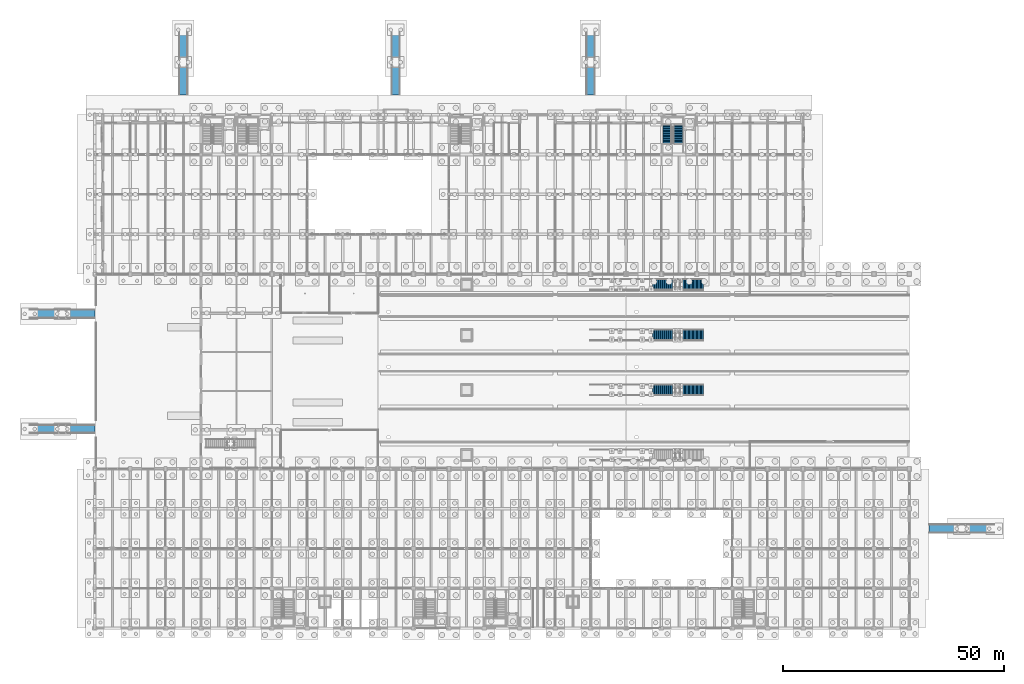
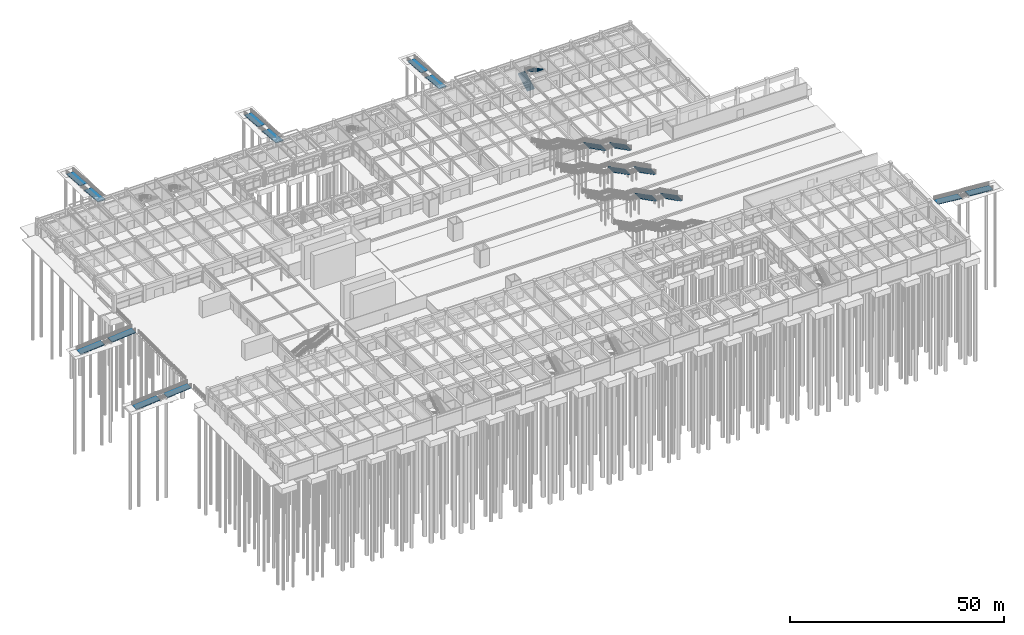
# One storey, part 114 of 147: 12 ramp flights, 8 stair flights, 10 elements without a shape of their own.
"""IFC4 building model written with IfcOpenShell, lengths in metres."""

from ifc_helpers import new_model, si_unit, direction, frame, origin, place, context, subcontext, project, spatial, polyline, outline, extrude, material, layer, layer_set, type_object, element, aggregate, save


model = new_model("IFC4")

# Units and contexts
model_context = context("Model", 3, precision=1e-05, world=origin(), true_north=direction((0.0, 1.0)))
body_context = subcontext(model_context, "Body", "Model", "MODEL_VIEW")
ifc_project = project(units=[si_unit("LENGTHUNIT", "METRE"), si_unit("AREAUNIT", "SQUARE_METRE"), si_unit("VOLUMEUNIT", "CUBIC_METRE"), si_unit("PLANEANGLEUNIT", "RADIAN"), si_unit("MASSUNIT", "GRAM", prefix="KILO")], contexts=[model_context])

# Site, building, storey
site_placement = place(None, origin())
site = spatial("IfcSite", under=ifc_project, at=site_placement, CompositionType="ELEMENT")
building_placement = place(site_placement, origin())
building = spatial("IfcBuilding", under=site, at=building_placement, Name="Varnabhumi Central Station", CompositionType="ELEMENT")
storey_placement = place(building_placement, origin())
storey = spatial("IfcBuildingStorey", under=building, at=storey_placement, Name="L00", CompositionType="ELEMENT", Elevation=0.0)

# Stair, stair flights
ifc_material = material(Name="Concrete M40", Category="concrete")
stair_type_1 = type_object("IfcStairType", Name="STR-CORE-4800", PredefinedType="DOUBLE_RETURN_STAIR", material=ifc_material)
stair_1_placement = place(storey_placement, origin())
stair_1 = element("IfcStair", 1, at=stair_1_placement, inside=storey, type_object=stair_type_1, Name="Core Stair ST-N3 (L00)", PredefinedType="DOUBLE_RETURN_STAIR")
stair_flight_type_1 = type_object("IfcStairFlightType", Name="FLT-CORE-1500", PredefinedType="STRAIGHT", material=ifc_material)
stair_flight_1_placement = place(storey_placement, frame((129.35009765625, 109.340087890625, 0.0), z_axis=(0.0, 0.0, 1.0), x_axis=(0.0, 1.0, 0.0)))
stair_flight_1 = element("IfcStairFlight", 2, at=stair_flight_1_placement, type_object=stair_flight_type_1, Name="ST-N3 L00 Lower Flight", NumberOfRisers=16, NumberOfTreads=15, PredefinedType="STRAIGHT", RiserHeight=0.15, TreadLength=0.285, context=body_context, shape_type="SweptSolid", body=[
    extrude(outline(polyline([(-0.06005859375, -0.080078125), (-0.06005859375, 0.0), (0.0, 0.0), (0.0, 0.14990234375), (0.284912109375, 0.14990234375), (0.284912109375, 0.300048828125), (0.570068359375, 0.300048828125), (0.570068359375, 0.449951171875), (0.85498046875, 0.449951171875), (0.85498046875, 0.60009765625), (1.139892578125, 0.60009765625), (1.139892578125, 0.75), (1.425048828125, 0.75), (1.425048828125, 0.89990234375), (1.7099609375, 0.89990234375), (1.7099609375, 1.050048828125), (1.9951171875, 1.050048828125), (1.9951171875, 1.199951171875), (2.280029296875, 1.199951171875), (2.280029296875, 1.35009765625), (2.56494140625, 1.35009765625), (2.56494140625, 1.5), (2.85009765625, 1.5), (2.85009765625, 1.64990234375), (3.135009765625, 1.64990234375), (3.135009765625, 1.800048828125), (3.419921875, 1.800048828125), (3.419921875, 1.949951171875), (3.705078125, 1.949951171875), (3.705078125, 2.10009765625), (3.989990234375, 2.10009765625), (3.989990234375, 2.25), (4.27490234375, 2.25), (4.27490234375, 2.39990234375), (4.3349609375, 2.39990234375), (4.3349609375, 2.239990234375), (4.27490234375, 2.0693359375), (0.34326171875, -0.080078125), (-0.06005859375, -0.080078125)])), frame((0.0, 1.0, 0.0), z_axis=(0.0, -1.0, 0.0), x_axis=(1.0, 0.0, 0.0)), (0.0, 0.0, 1.0), 2.0),
])
stair_flight_2_placement = place(storey_placement, frame((131.75, 113.614990234375, 2.39990234375), z_axis=(0.0, 0.0, 1.0), x_axis=(0.0, -1.0, 0.0)))
stair_flight_2 = element("IfcStairFlight", 3, at=stair_flight_2_placement, type_object=stair_flight_type_1, Name="ST-N3 L00 Upper Flight", NumberOfRisers=16, NumberOfTreads=15, PredefinedType="STRAIGHT", RiserHeight=0.15, TreadLength=0.285, context=body_context, shape_type="SweptSolid", body=[
    extrude(outline(polyline([(-0.06005859375, -0.080078125), (-0.06005859375, 0.0), (0.0, 0.0), (0.0, 0.14990234375), (0.284912109375, 0.14990234375), (0.284912109375, 0.300048828125), (0.570068359375, 0.300048828125), (0.570068359375, 0.449951171875), (0.85498046875, 0.449951171875), (0.85498046875, 0.60009765625), (1.139892578125, 0.60009765625), (1.139892578125, 0.75), (1.425048828125, 0.75), (1.425048828125, 0.89990234375), (1.7099609375, 0.89990234375), (1.7099609375, 1.050048828125), (1.9951171875, 1.050048828125), (1.9951171875, 1.199951171875), (2.280029296875, 1.199951171875), (2.280029296875, 1.35009765625), (2.56494140625, 1.35009765625), (2.56494140625, 1.5), (2.85009765625, 1.5), (2.85009765625, 1.64990234375), (3.135009765625, 1.64990234375), (3.135009765625, 1.800048828125), (3.419921875, 1.800048828125), (3.419921875, 1.949951171875), (3.705078125, 1.949951171875), (3.705078125, 2.10009765625), (3.989990234375, 2.10009765625), (3.989990234375, 2.25), (4.27490234375, 2.25), (4.27490234375, 2.39990234375), (4.3349609375, 2.39990234375), (4.3349609375, 2.239990234375), (4.27490234375, 2.0693359375), (0.34326171875, -0.080078125), (-0.06005859375, -0.080078125)])), frame((0.0, 1.0, 0.0), z_axis=(0.0, -1.0, 0.0), x_axis=(1.0, 0.0, 0.0)), (0.0, 0.0, 1.0), 2.0),
])
aggregate(stair_1, [stair_flight_1, stair_flight_2])

stair_type_2 = type_object("IfcStairType", Name="STR-PLAT-4800", PredefinedType="TWO_STRAIGHT_RUN_STAIR", material=ifc_material)
stair_2_placement = place(storey_placement, origin())
stair_2 = element("IfcStair", 4, at=stair_2_placement, inside=storey, type_object=stair_type_2, Name="Platform 2 Lower Stair (L00-L01)", PredefinedType="TWO_STRAIGHT_RUN_STAIR")
stair_flight_type_2 = type_object("IfcStairFlightType", Name="FLT-PLAT-2200", PredefinedType="STRAIGHT", material=ifc_material)
stair_flight_3_placement = place(storey_placement, frame((137.39990234375, 53.800048828125, 0.0), z_axis=(0.0, 0.0, 1.0), x_axis=(-1.0, 0.0, 0.0)))
stair_flight_3 = element("IfcStairFlight", 5, at=stair_flight_3_placement, type_object=stair_flight_type_2, Name="Platform 2 Lower Stair Flight 1", NumberOfRisers=16, NumberOfTreads=15, PredefinedType="STRAIGHT", RiserHeight=0.15, TreadLength=0.3, context=body_context, shape_type="SweptSolid", body=[
    extrude(outline(polyline([(-0.06005859375, -0.08984375), (-0.06005859375, 0.0), (0.0, 0.0), (0.0, 0.14990234375), (0.300048828125, 0.14990234375), (0.300048828125, 0.300048828125), (0.60009765625, 0.300048828125), (0.60009765625, 0.449951171875), (0.89990234375, 0.449951171875), (0.89990234375, 0.60009765625), (1.199951171875, 0.60009765625), (1.199951171875, 0.75), (1.5, 0.75), (1.5, 0.89990234375), (1.800048828125, 0.89990234375), (1.800048828125, 1.050048828125), (2.10009765625, 1.050048828125), (2.10009765625, 1.199951171875), (2.39990234375, 1.199951171875), (2.39990234375, 1.35009765625), (2.699951171875, 1.35009765625), (2.699951171875, 1.5), (3.0, 1.5), (3.0, 1.64990234375), (3.300048828125, 1.64990234375), (3.300048828125, 1.800048828125), (3.60009765625, 1.800048828125), (3.60009765625, 1.949951171875), (3.89990234375, 1.949951171875), (3.89990234375, 2.10009765625), (4.199951171875, 2.10009765625), (4.199951171875, 2.25), (4.5, 2.25), (4.5, 2.39990234375), (4.56005859375, 2.39990234375), (4.56005859375, 2.219970703125), (4.5, 2.048828125), (0.40234375, -0.08984375), (-0.06005859375, -0.08984375)])), frame((0.0, 1.199951171875, 0.0), z_axis=(0.0, -1.0, 0.0), x_axis=(1.0, 0.0, 0.0)), (0.0, 0.0, 1.0), 2.39990234375),
])
stair_flight_4_placement = place(storey_placement, frame((130.5, 53.800048828125, 2.39990234375), z_axis=(0.0, 0.0, 1.0), x_axis=(-1.0, 0.0, 0.0)))
stair_flight_4 = element("IfcStairFlight", 6, at=stair_flight_4_placement, type_object=stair_flight_type_2, Name="Platform 2 Lower Stair Flight 2", NumberOfRisers=16, NumberOfTreads=15, PredefinedType="STRAIGHT", RiserHeight=0.15, TreadLength=0.3, context=body_context, shape_type="SweptSolid", body=[
    extrude(outline(polyline([(-0.06005859375, -0.08984375), (-0.06005859375, 0.0), (0.0, 0.0), (0.0, 0.14990234375), (0.300048828125, 0.14990234375), (0.300048828125, 0.300048828125), (0.60009765625, 0.300048828125), (0.60009765625, 0.449951171875), (0.89990234375, 0.449951171875), (0.89990234375, 0.60009765625), (1.199951171875, 0.60009765625), (1.199951171875, 0.75), (1.5, 0.75), (1.5, 0.89990234375), (1.800048828125, 0.89990234375), (1.800048828125, 1.050048828125), (2.10009765625, 1.050048828125), (2.10009765625, 1.199951171875), (2.39990234375, 1.199951171875), (2.39990234375, 1.35009765625), (2.699951171875, 1.35009765625), (2.699951171875, 1.5), (3.0, 1.5), (3.0, 1.64990234375), (3.300048828125, 1.64990234375), (3.300048828125, 1.800048828125), (3.60009765625, 1.800048828125), (3.60009765625, 1.949951171875), (3.89990234375, 1.949951171875), (3.89990234375, 2.10009765625), (4.199951171875, 2.10009765625), (4.199951171875, 2.25), (4.5, 2.25), (4.5, 2.39990234375), (4.56005859375, 2.39990234375), (4.56005859375, 2.219970703125), (4.5, 2.048828125), (0.40234375, -0.08984375), (-0.06005859375, -0.08984375)])), frame((0.0, 1.199951171875, 0.0), z_axis=(0.0, -1.0, 0.0), x_axis=(1.0, 0.0, 0.0)), (0.0, 0.0, 1.0), 2.39990234375),
])
aggregate(stair_2, [stair_flight_3, stair_flight_4])

stair_3_placement = place(storey_placement, origin())
stair_3 = element("IfcStair", 7, at=stair_3_placement, inside=storey, type_object=stair_type_2, Name="Platform 3 Lower Stair (L00-L01)", PredefinedType="TWO_STRAIGHT_RUN_STAIR")
stair_flight_5_placement = place(storey_placement, frame((137.39990234375, 66.199951171875, 0.0), z_axis=(0.0, 0.0, 1.0), x_axis=(-1.0, 0.0, 0.0)))
stair_flight_5 = element("IfcStairFlight", 8, at=stair_flight_5_placement, type_object=stair_flight_type_2, Name="Platform 3 Lower Stair Flight 1", NumberOfRisers=16, NumberOfTreads=15, PredefinedType="STRAIGHT", RiserHeight=0.15, TreadLength=0.3, context=body_context, shape_type="SweptSolid", body=[
    extrude(outline(polyline([(-0.06005859375, -0.08984375), (-0.06005859375, 0.0), (0.0, 0.0), (0.0, 0.14990234375), (0.300048828125, 0.14990234375), (0.300048828125, 0.300048828125), (0.60009765625, 0.300048828125), (0.60009765625, 0.449951171875), (0.89990234375, 0.449951171875), (0.89990234375, 0.60009765625), (1.199951171875, 0.60009765625), (1.199951171875, 0.75), (1.5, 0.75), (1.5, 0.89990234375), (1.800048828125, 0.89990234375), (1.800048828125, 1.050048828125), (2.10009765625, 1.050048828125), (2.10009765625, 1.199951171875), (2.39990234375, 1.199951171875), (2.39990234375, 1.35009765625), (2.699951171875, 1.35009765625), (2.699951171875, 1.5), (3.0, 1.5), (3.0, 1.64990234375), (3.300048828125, 1.64990234375), (3.300048828125, 1.800048828125), (3.60009765625, 1.800048828125), (3.60009765625, 1.949951171875), (3.89990234375, 1.949951171875), (3.89990234375, 2.10009765625), (4.199951171875, 2.10009765625), (4.199951171875, 2.25), (4.5, 2.25), (4.5, 2.39990234375), (4.56005859375, 2.39990234375), (4.56005859375, 2.219970703125), (4.5, 2.048828125), (0.40234375, -0.08984375), (-0.06005859375, -0.08984375)])), frame((0.0, 1.199951171875, 0.0), z_axis=(0.0, -1.0, 0.0), x_axis=(1.0, 0.0, 0.0)), (0.0, 0.0, 1.0), 2.39990234375),
])
stair_flight_6_placement = place(storey_placement, frame((130.5, 66.199951171875, 2.39990234375), z_axis=(0.0, 0.0, 1.0), x_axis=(-1.0, 0.0, 0.0)))
stair_flight_6 = element("IfcStairFlight", 9, at=stair_flight_6_placement, type_object=stair_flight_type_2, Name="Platform 3 Lower Stair Flight 2", NumberOfRisers=16, NumberOfTreads=15, PredefinedType="STRAIGHT", RiserHeight=0.15, TreadLength=0.3, context=body_context, shape_type="SweptSolid", body=[
    extrude(outline(polyline([(-0.06005859375, -0.08984375), (-0.06005859375, 0.0), (0.0, 0.0), (0.0, 0.14990234375), (0.300048828125, 0.14990234375), (0.300048828125, 0.300048828125), (0.60009765625, 0.300048828125), (0.60009765625, 0.449951171875), (0.89990234375, 0.449951171875), (0.89990234375, 0.60009765625), (1.199951171875, 0.60009765625), (1.199951171875, 0.75), (1.5, 0.75), (1.5, 0.89990234375), (1.800048828125, 0.89990234375), (1.800048828125, 1.050048828125), (2.10009765625, 1.050048828125), (2.10009765625, 1.199951171875), (2.39990234375, 1.199951171875), (2.39990234375, 1.35009765625), (2.699951171875, 1.35009765625), (2.699951171875, 1.5), (3.0, 1.5), (3.0, 1.64990234375), (3.300048828125, 1.64990234375), (3.300048828125, 1.800048828125), (3.60009765625, 1.800048828125), (3.60009765625, 1.949951171875), (3.89990234375, 1.949951171875), (3.89990234375, 2.10009765625), (4.199951171875, 2.10009765625), (4.199951171875, 2.25), (4.5, 2.25), (4.5, 2.39990234375), (4.56005859375, 2.39990234375), (4.56005859375, 2.219970703125), (4.5, 2.048828125), (0.40234375, -0.08984375), (-0.06005859375, -0.08984375)])), frame((0.0, 1.199951171875, 0.0), z_axis=(0.0, -1.0, 0.0), x_axis=(1.0, 0.0, 0.0)), (0.0, 0.0, 1.0), 2.39990234375),
])
aggregate(stair_3, [stair_flight_5, stair_flight_6])

stair_4_placement = place(storey_placement, origin())
stair_4 = element("IfcStair", 10, at=stair_4_placement, inside=storey, type_object=stair_type_2, Name="Platform 4 Lower Stair (L00-L01)", PredefinedType="TWO_STRAIGHT_RUN_STAIR")
stair_flight_7_placement = place(storey_placement, frame((137.39990234375, 77.60009765625, 0.0), z_axis=(0.0, 0.0, 1.0), x_axis=(-1.0, 0.0, 0.0)))
stair_flight_7 = element("IfcStairFlight", 11, at=stair_flight_7_placement, type_object=stair_flight_type_2, Name="Platform 4 Lower Stair Flight 1", NumberOfRisers=16, NumberOfTreads=15, PredefinedType="STRAIGHT", RiserHeight=0.15, TreadLength=0.3, context=body_context, shape_type="SweptSolid", body=[
    extrude(outline(polyline([(-0.06005859375, -0.08984375), (-0.06005859375, 0.0), (0.0, 0.0), (0.0, 0.14990234375), (0.300048828125, 0.14990234375), (0.300048828125, 0.300048828125), (0.60009765625, 0.300048828125), (0.60009765625, 0.449951171875), (0.89990234375, 0.449951171875), (0.89990234375, 0.60009765625), (1.199951171875, 0.60009765625), (1.199951171875, 0.75), (1.5, 0.75), (1.5, 0.89990234375), (1.800048828125, 0.89990234375), (1.800048828125, 1.050048828125), (2.10009765625, 1.050048828125), (2.10009765625, 1.199951171875), (2.39990234375, 1.199951171875), (2.39990234375, 1.35009765625), (2.699951171875, 1.35009765625), (2.699951171875, 1.5), (3.0, 1.5), (3.0, 1.64990234375), (3.300048828125, 1.64990234375), (3.300048828125, 1.800048828125), (3.60009765625, 1.800048828125), (3.60009765625, 1.949951171875), (3.89990234375, 1.949951171875), (3.89990234375, 2.10009765625), (4.199951171875, 2.10009765625), (4.199951171875, 2.25), (4.5, 2.25), (4.5, 2.39990234375), (4.56005859375, 2.39990234375), (4.56005859375, 2.219970703125), (4.5, 2.048828125), (0.40234375, -0.08984375), (-0.06005859375, -0.08984375)])), frame((0.0, 1.199951171875, 0.0), z_axis=(0.0, -1.0, 0.0), x_axis=(1.0, 0.0, 0.0)), (0.0, 0.0, 1.0), 2.39990234375),
])
stair_flight_8_placement = place(storey_placement, frame((130.5, 77.60009765625, 2.39990234375), z_axis=(0.0, 0.0, 1.0), x_axis=(-1.0, 0.0, 0.0)))
stair_flight_8 = element("IfcStairFlight", 12, at=stair_flight_8_placement, type_object=stair_flight_type_2, Name="Platform 4 Lower Stair Flight 2", NumberOfRisers=16, NumberOfTreads=15, PredefinedType="STRAIGHT", RiserHeight=0.15, TreadLength=0.3, context=body_context, shape_type="SweptSolid", body=[
    extrude(outline(polyline([(-0.06005859375, -0.08984375), (-0.06005859375, 0.0), (0.0, 0.0), (0.0, 0.14990234375), (0.300048828125, 0.14990234375), (0.300048828125, 0.300048828125), (0.60009765625, 0.300048828125), (0.60009765625, 0.449951171875), (0.89990234375, 0.449951171875), (0.89990234375, 0.60009765625), (1.199951171875, 0.60009765625), (1.199951171875, 0.75), (1.5, 0.75), (1.5, 0.89990234375), (1.800048828125, 0.89990234375), (1.800048828125, 1.050048828125), (2.10009765625, 1.050048828125), (2.10009765625, 1.199951171875), (2.39990234375, 1.199951171875), (2.39990234375, 1.35009765625), (2.699951171875, 1.35009765625), (2.699951171875, 1.5), (3.0, 1.5), (3.0, 1.64990234375), (3.300048828125, 1.64990234375), (3.300048828125, 1.800048828125), (3.60009765625, 1.800048828125), (3.60009765625, 1.949951171875), (3.89990234375, 1.949951171875), (3.89990234375, 2.10009765625), (4.199951171875, 2.10009765625), (4.199951171875, 2.25), (4.5, 2.25), (4.5, 2.39990234375), (4.56005859375, 2.39990234375), (4.56005859375, 2.219970703125), (4.5, 2.048828125), (0.40234375, -0.08984375), (-0.06005859375, -0.08984375)])), frame((0.0, 1.199951171875, 0.0), z_axis=(0.0, -1.0, 0.0), x_axis=(1.0, 0.0, 0.0)), (0.0, 0.0, 1.0), 2.39990234375),
])
aggregate(stair_4, [stair_flight_7, stair_flight_8])

# Ramp, ramp flights
ramp_type = type_object("IfcRampType", Name="RAMP-PLINTH-1800", PredefinedType="TWO_STRAIGHT_RUN_RAMP", material=ifc_material)
ramp_1_placement = place(storey_placement, origin())
ramp_1 = element("IfcRamp", 13, at=ramp_1_placement, inside=storey, type_object=ramp_type, Name="Accessible Plinth Ramp RMP-FC-S", PredefinedType="TWO_STRAIGHT_RUN_RAMP")
ifc_layer = layer(ifc_material, 0.219970703125, Name="Concrete M40", Category="concrete")
ifc_layer_set = layer_set([ifc_layer], Name="Concrete M40")
ramp_flight_type = type_object("IfcRampFlightType", Name="RAMP-FLT-1800", PredefinedType="STRAIGHT", material=ifc_layer_set)
ramp_flight_1_placement = place(storey_placement, frame((-14.699951171875, 45.0, -1.050048828125), z_axis=(0.0, 0.0, 1.0), x_axis=(1.0, 0.0, 0.0)))
ramp_flight_1 = element("IfcRampFlight", 14, at=ramp_flight_1_placement, type_object=ramp_flight_type, Name="RMP-FC-S Lower Flight", PredefinedType="STRAIGHT", context=body_context, shape_type="SweptSolid", body=[
    extrude(outline(polyline([(-0.06005859375, 0.0), (0.0, 0.0), (6.300048828125, 0.52490234375), (6.360107421875, 0.52490234375), (6.360107421875, 0.304931640625), (6.300048828125, 0.304931640625), (0.0, -0.219970703125), (-0.06005859375, -0.219970703125), (-0.06005859375, 0.0)])), frame((0.0, 1.0, 0.0), z_axis=(0.0, -1.0, 0.0), x_axis=(1.0, 0.0, 0.0)), (0.0, 0.0, 1.0), 2.0),
])
ramp_flight_2_placement = place(storey_placement, frame((-6.300048828125, 45.0, -0.52490234375), z_axis=(0.0, 0.0, 1.0), x_axis=(1.0, 0.0, 0.0)))
ramp_flight_2 = element("IfcRampFlight", 15, at=ramp_flight_2_placement, type_object=ramp_flight_type, Name="RMP-FC-S Upper Flight", PredefinedType="STRAIGHT", context=body_context, shape_type="SweptSolid", body=[
    extrude(outline(polyline([(-0.06005859375, 0.0), (0.0, 0.0), (6.300048828125, 0.52490234375), (6.360107421875, 0.52490234375), (6.360107421875, 0.304931640625), (6.300048828125, 0.304931640625), (0.0, -0.219970703125), (-0.06005859375, -0.219970703125), (-0.06005859375, 0.0)])), frame((0.0, 1.0, 0.0), z_axis=(0.0, -1.0, 0.0), x_axis=(1.0, 0.0, 0.0)), (0.0, 0.0, 1.0), 2.0),
])
aggregate(ramp_1, [ramp_flight_1, ramp_flight_2])

ramp_2_placement = place(storey_placement, origin())
ramp_2 = element("IfcRamp", 16, at=ramp_2_placement, inside=storey, type_object=ramp_type, Name="Accessible Plinth Ramp RMP-FC-N", PredefinedType="TWO_STRAIGHT_RUN_RAMP")
ramp_flight_3_placement = place(storey_placement, frame((-14.699951171875, 71.0, -1.050048828125), z_axis=(0.0, 0.0, 1.0), x_axis=(1.0, 0.0, 0.0)))
ramp_flight_3 = element("IfcRampFlight", 17, at=ramp_flight_3_placement, type_object=ramp_flight_type, Name="RMP-FC-N Lower Flight", PredefinedType="STRAIGHT", context=body_context, shape_type="SweptSolid", body=[
    extrude(outline(polyline([(-0.06005859375, 0.0), (0.0, 0.0), (6.300048828125, 0.52490234375), (6.360107421875, 0.52490234375), (6.360107421875, 0.304931640625), (6.300048828125, 0.304931640625), (0.0, -0.219970703125), (-0.06005859375, -0.219970703125), (-0.06005859375, 0.0)])), frame((0.0, 1.0, 0.0), z_axis=(0.0, -1.0, 0.0), x_axis=(1.0, 0.0, 0.0)), (0.0, 0.0, 1.0), 2.0),
])
ramp_flight_4_placement = place(storey_placement, frame((-6.300048828125, 71.0, -0.52490234375), z_axis=(0.0, 0.0, 1.0), x_axis=(1.0, 0.0, 0.0)))
ramp_flight_4 = element("IfcRampFlight", 18, at=ramp_flight_4_placement, type_object=ramp_flight_type, Name="RMP-FC-N Upper Flight", PredefinedType="STRAIGHT", context=body_context, shape_type="SweptSolid", body=[
    extrude(outline(polyline([(-0.06005859375, 0.0), (0.0, 0.0), (6.300048828125, 0.52490234375), (6.360107421875, 0.52490234375), (6.360107421875, 0.304931640625), (6.300048828125, 0.304931640625), (0.0, -0.219970703125), (-0.06005859375, -0.219970703125), (-0.06005859375, 0.0)])), frame((0.0, 1.0, 0.0), z_axis=(0.0, -1.0, 0.0), x_axis=(1.0, 0.0, 0.0)), (0.0, 0.0, 1.0), 2.0),
])
aggregate(ramp_2, [ramp_flight_3, ramp_flight_4])

ramp_3_placement = place(storey_placement, origin())
ramp_3 = element("IfcRamp", 19, at=ramp_3_placement, inside=storey, type_object=ramp_type, Name="Accessible Plinth Ramp RMP-NB-E", PredefinedType="TWO_STRAIGHT_RUN_RAMP")
ramp_flight_5_placement = place(storey_placement, frame((20.0, 135.199951171875, -1.050048828125), z_axis=(0.0, 0.0, 1.0), x_axis=(0.0, -1.0, 0.0)))
ramp_flight_5 = element("IfcRampFlight", 20, at=ramp_flight_5_placement, type_object=ramp_flight_type, Name="RMP-NB-E Lower Flight", PredefinedType="STRAIGHT", context=body_context, shape_type="SweptSolid", body=[
    extrude(outline(polyline([(-0.06005859375, 0.0), (0.0, 0.0), (6.300048828125, 0.52490234375), (6.360107421875, 0.52490234375), (6.360107421875, 0.304931640625), (6.300048828125, 0.304931640625), (0.0, -0.219970703125), (-0.06005859375, -0.219970703125), (-0.06005859375, 0.0)])), frame((0.0, 1.0, 0.0), z_axis=(0.0, -1.0, 0.0), x_axis=(1.0, 0.0, 0.0)), (0.0, 0.0, 1.0), 2.0),
])
ramp_flight_6_placement = place(storey_placement, frame((20.0, 126.800048828125, -0.52490234375), z_axis=(0.0, 0.0, 1.0), x_axis=(0.0, -1.0, 0.0)))
ramp_flight_6 = element("IfcRampFlight", 21, at=ramp_flight_6_placement, type_object=ramp_flight_type, Name="RMP-NB-E Upper Flight", PredefinedType="STRAIGHT", context=body_context, shape_type="SweptSolid", body=[
    extrude(outline(polyline([(-0.06005859375, 0.0), (0.0, 0.0), (6.300048828125, 0.52490234375), (6.360107421875, 0.52490234375), (6.360107421875, 0.304931640625), (6.300048828125, 0.304931640625), (0.0, -0.219970703125), (-0.06005859375, -0.219970703125), (-0.06005859375, 0.0)])), frame((0.0, 1.0, 0.0), z_axis=(0.0, -1.0, 0.0), x_axis=(1.0, 0.0, 0.0)), (0.0, 0.0, 1.0), 2.0),
])
aggregate(ramp_3, [ramp_flight_5, ramp_flight_6])

ramp_4_placement = place(storey_placement, origin())
ramp_4 = element("IfcRamp", 22, at=ramp_4_placement, inside=storey, type_object=ramp_type, Name="Accessible Plinth Ramp RMP-NB-M", PredefinedType="TWO_STRAIGHT_RUN_RAMP")
ramp_flight_7_placement = place(storey_placement, frame((68.0, 135.199951171875, -1.050048828125), z_axis=(0.0, 0.0, 1.0), x_axis=(0.0, -1.0, 0.0)))
ramp_flight_7 = element("IfcRampFlight", 23, at=ramp_flight_7_placement, type_object=ramp_flight_type, Name="RMP-NB-M Lower Flight", PredefinedType="STRAIGHT", context=body_context, shape_type="SweptSolid", body=[
    extrude(outline(polyline([(-0.06005859375, 0.0), (0.0, 0.0), (6.300048828125, 0.52490234375), (6.360107421875, 0.52490234375), (6.360107421875, 0.304931640625), (6.300048828125, 0.304931640625), (0.0, -0.219970703125), (-0.06005859375, -0.219970703125), (-0.06005859375, 0.0)])), frame((0.0, 1.0, 0.0), z_axis=(0.0, -1.0, 0.0), x_axis=(1.0, 0.0, 0.0)), (0.0, 0.0, 1.0), 2.0),
])
ramp_flight_8_placement = place(storey_placement, frame((68.0, 126.800048828125, -0.52490234375), z_axis=(0.0, 0.0, 1.0), x_axis=(0.0, -1.0, 0.0)))
ramp_flight_8 = element("IfcRampFlight", 24, at=ramp_flight_8_placement, type_object=ramp_flight_type, Name="RMP-NB-M Upper Flight", PredefinedType="STRAIGHT", context=body_context, shape_type="SweptSolid", body=[
    extrude(outline(polyline([(-0.06005859375, 0.0), (0.0, 0.0), (6.300048828125, 0.52490234375), (6.360107421875, 0.52490234375), (6.360107421875, 0.304931640625), (6.300048828125, 0.304931640625), (0.0, -0.219970703125), (-0.06005859375, -0.219970703125), (-0.06005859375, 0.0)])), frame((0.0, 1.0, 0.0), z_axis=(0.0, -1.0, 0.0), x_axis=(1.0, 0.0, 0.0)), (0.0, 0.0, 1.0), 2.0),
])
aggregate(ramp_4, [ramp_flight_7, ramp_flight_8])

ramp_5_placement = place(storey_placement, origin())
ramp_5 = element("IfcRamp", 25, at=ramp_5_placement, inside=storey, type_object=ramp_type, Name="Accessible Plinth Ramp RMP-NB-W", PredefinedType="TWO_STRAIGHT_RUN_RAMP")
ramp_flight_9_placement = place(storey_placement, frame((112.0, 135.199951171875, -1.050048828125), z_axis=(0.0, 0.0, 1.0), x_axis=(0.0, -1.0, 0.0)))
ramp_flight_9 = element("IfcRampFlight", 26, at=ramp_flight_9_placement, type_object=ramp_flight_type, Name="RMP-NB-W Lower Flight", PredefinedType="STRAIGHT", context=body_context, shape_type="SweptSolid", body=[
    extrude(outline(polyline([(-0.06005859375, 0.0), (0.0, 0.0), (6.300048828125, 0.52490234375), (6.360107421875, 0.52490234375), (6.360107421875, 0.304931640625), (6.300048828125, 0.304931640625), (0.0, -0.219970703125), (-0.06005859375, -0.219970703125), (-0.06005859375, 0.0)])), frame((0.0, 1.0, 0.0), z_axis=(0.0, -1.0, 0.0), x_axis=(1.0, 0.0, 0.0)), (0.0, 0.0, 1.0), 2.0),
])
ramp_flight_10_placement = place(storey_placement, frame((112.0, 126.800048828125, -0.52490234375), z_axis=(0.0, 0.0, 1.0), x_axis=(0.0, -1.0, 0.0)))
ramp_flight_10 = element("IfcRampFlight", 27, at=ramp_flight_10_placement, type_object=ramp_flight_type, Name="RMP-NB-W Upper Flight", PredefinedType="STRAIGHT", context=body_context, shape_type="SweptSolid", body=[
    extrude(outline(polyline([(-0.06005859375, 0.0), (0.0, 0.0), (6.300048828125, 0.52490234375), (6.360107421875, 0.52490234375), (6.360107421875, 0.304931640625), (6.300048828125, 0.304931640625), (0.0, -0.219970703125), (-0.06005859375, -0.219970703125), (-0.06005859375, 0.0)])), frame((0.0, 1.0, 0.0), z_axis=(0.0, -1.0, 0.0), x_axis=(1.0, 0.0, 0.0)), (0.0, 0.0, 1.0), 2.0),
])
aggregate(ramp_5, [ramp_flight_9, ramp_flight_10])

ramp_6_placement = place(storey_placement, origin())
ramp_6 = element("IfcRamp", 28, at=ramp_6_placement, inside=storey, type_object=ramp_type, Name="Accessible Plinth Ramp RMP-WS-1", PredefinedType="TWO_STRAIGHT_RUN_RAMP")
ramp_flight_11_placement = place(storey_placement, frame((203.199951171875, 22.5, -1.050048828125), z_axis=(0.0, 0.0, 1.0), x_axis=(-1.0, 0.0, 0.0)))
ramp_flight_11 = element("IfcRampFlight", 29, at=ramp_flight_11_placement, type_object=ramp_flight_type, Name="RMP-WS-1 Lower Flight", PredefinedType="STRAIGHT", context=body_context, shape_type="SweptSolid", body=[
    extrude(outline(polyline([(-0.06005859375, 0.0), (0.0, 0.0), (6.300048828125, 0.52490234375), (6.360107421875, 0.52490234375), (6.360107421875, 0.304931640625), (6.300048828125, 0.304931640625), (0.0, -0.219970703125), (-0.06005859375, -0.219970703125), (-0.06005859375, 0.0)])), frame((0.0, 1.0, 0.0), z_axis=(0.0, -1.0, 0.0), x_axis=(1.0, 0.0, 0.0)), (0.0, 0.0, 1.0), 2.0),
])
ramp_flight_12_placement = place(storey_placement, frame((194.800048828125, 22.5, -0.52490234375), z_axis=(0.0, 0.0, 1.0), x_axis=(-1.0, 0.0, 0.0)))
ramp_flight_12 = element("IfcRampFlight", 30, at=ramp_flight_12_placement, type_object=ramp_flight_type, Name="RMP-WS-1 Upper Flight", PredefinedType="STRAIGHT", context=body_context, shape_type="SweptSolid", body=[
    extrude(outline(polyline([(-0.06005859375, 0.0), (0.0, 0.0), (6.300048828125, 0.52490234375), (6.360107421875, 0.52490234375), (6.360107421875, 0.304931640625), (6.300048828125, 0.304931640625), (0.0, -0.219970703125), (-0.06005859375, -0.219970703125), (-0.06005859375, 0.0)])), frame((0.0, 1.0, 0.0), z_axis=(0.0, -1.0, 0.0), x_axis=(1.0, 0.0, 0.0)), (0.0, 0.0, 1.0), 2.0),
])
aggregate(ramp_6, [ramp_flight_11, ramp_flight_12])

save(model, "model.ifc")
